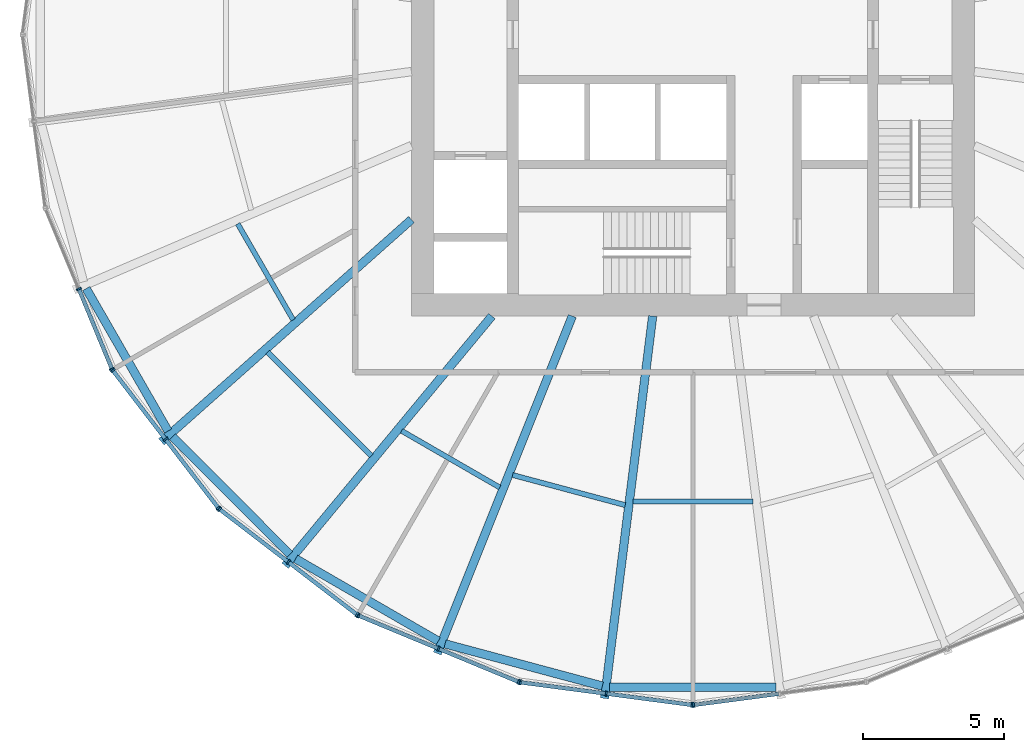
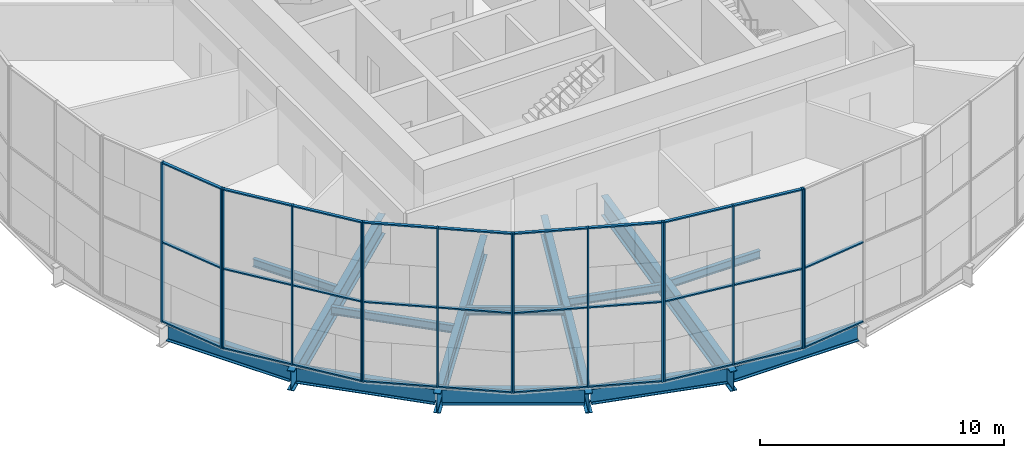
# One storey, part 1 of 18: 44 members, 14 beams, 6 elements without a shape of their own.
"""IFC4 building model written with IfcOpenShell, lengths in metres."""

import ifcopenshell
import ifcopenshell.guid

model = None  # the IFC model being written
_history = None  # IfcOwnerHistory: only IFC2X3 demands one
_inside = {}  # id of a spatial element -> (the spatial element, [elements in it])
_under = {}  # id of a project, library or spatial element -> (it, [spatial elements below it])
_declared = {}  # id of a project -> (the project, [libraries it declares])
_typed = {}  # id of a type object -> (the type object, [elements of that type])
_made_of = {}  # id of a material, layer set ... -> (it, [elements and type objects made of it])


def new_model(schema):
    """Start an empty IFC model of exactly this schema.

    Asked for "IFC4X3", IfcOpenShell would pick the latest addendum, in which some entities
    have other attributes; the version numbers below select the first issue.
    IFC2X3 requires an IfcOwnerHistory on every rooted entity: one is made here for all.
    """
    global model, _history
    if schema == "IFC4X3":
        model = ifcopenshell.file(schema_version=(4, 3, 0, 0))
    else:
        model = ifcopenshell.file(schema=schema)
    _inside.clear()
    _under.clear()
    _declared.clear()
    _typed.clear()
    _made_of.clear()
    _history = None
    if model.schema == "IFC2X3":
        org = make("IfcOrganization", Name="unknown")
        user = make(
            "IfcPersonAndOrganization",
            ThePerson=make("IfcPerson", FamilyName="unknown"),
            TheOrganization=org,
        )
        app = make(
            "IfcApplication",
            ApplicationDeveloper=org,
            Version="unknown",
            ApplicationFullName="unknown",
            ApplicationIdentifier="unknown",
        )
        _history = make(
            "IfcOwnerHistory",
            OwningUser=user,
            OwningApplication=app,
            ChangeAction="ADDED",
            CreationDate=0,
        )
    return model


def make(cls, **values):
    """One entity of the class cls with the attributes given. An attribute that is None is left unset."""
    return model.create_entity(
        cls, **{name: value for name, value in values.items() if value is not None}
    )


def rooted(cls, **values):
    """An entity with a GlobalId (a new one), such as an element, a storey or a relation."""
    return make(cls, GlobalId=ifcopenshell.guid.new(), OwnerHistory=_history, **values)


def si_unit(unit_type, name, prefix=None):
    """IfcSIUnit, for example si_unit("LENGTHUNIT", "METRE", prefix="MILLI")."""
    return make("IfcSIUnit", UnitType=unit_type, Prefix=prefix, Name=name)


def assignment(units):
    """IfcUnitAssignment: the units of a project."""
    return None if units is None else make("IfcUnitAssignment", Units=units)


def point(xyz):
    """IfcCartesianPoint."""
    return None if xyz is None else make("IfcCartesianPoint", Coordinates=xyz)


def direction(xyz):
    """IfcDirection."""
    return None if xyz is None else make("IfcDirection", DirectionRatios=xyz)


def frame(location, z_axis=None, x_axis=None):
    """IfcAxis2Placement3D, a coordinate frame: its origin and axes. An axis left out is left unset."""
    return make(
        "IfcAxis2Placement3D",
        Location=point(location),
        Axis=direction(z_axis),
        RefDirection=direction(x_axis),
    )


def frame_2d(location, x_axis=None):
    """IfcAxis2Placement2D, a coordinate frame in the plane: its origin and x axis."""
    return make(
        "IfcAxis2Placement2D", Location=point(location), RefDirection=direction(x_axis)
    )


def origin():
    """The frame at (0, 0, 0) with its axes left unset."""
    return frame((0.0, 0.0, 0.0))


def origin_2d():
    """The frame at (0, 0) in the plane with its x axis left unset."""
    return frame_2d((0.0, 0.0))


def place(relative_to, where):
    """IfcLocalPlacement: puts the frame where relative to a parent placement (None: the world)."""
    return make(
        "IfcLocalPlacement", PlacementRelTo=relative_to, RelativePlacement=where
    )


def context(
    kind, dimensions, precision=None, world=None, true_north=None, identifier=None
):
    """IfcGeometricRepresentationContext, for example the 3D "Model" context."""
    return make(
        "IfcGeometricRepresentationContext",
        ContextIdentifier=identifier,
        ContextType=kind,
        CoordinateSpaceDimension=dimensions,
        Precision=precision,
        WorldCoordinateSystem=world,
        TrueNorth=true_north,
    )


def subcontext(parent, identifier, kind, view, scale=None):
    """IfcGeometricRepresentationSubContext, for example "Body" below "Model"."""
    return make(
        "IfcGeometricRepresentationSubContext",
        ContextIdentifier=identifier,
        ContextType=kind,
        ParentContext=parent,
        TargetScale=scale,
        TargetView=view,
    )


def project(units=None, contexts=None):
    """IfcProject with its units and contexts."""
    return rooted(
        "IfcProject",
        Name="project",
        RepresentationContexts=contexts,
        UnitsInContext=assignment(units),
    )


def spatial(cls, under=None, at=None, **own):
    """A site, building, storey or space (cls), placed at a placement, below another one or the project."""
    s = rooted(cls, ObjectPlacement=at, **own)
    if under is not None:
        _under.setdefault(under.id(), (under, []))[1].append(s)
    return s


def profile(cls, at=None, kind="AREA", **sizes):
    """A parametric profile (cls). Its sizes go by their IFC names, for example OverallWidth=200.0."""
    return make(cls, ProfileType=kind, Position=at, **sizes)


def rectangle(**sizes):
    """IfcRectangleProfileDef."""
    return profile("IfcRectangleProfileDef", **sizes)


def i_section(**sizes):
    """IfcIShapeProfileDef."""
    return profile("IfcIShapeProfileDef", **sizes)


def extrude(swept, where, along, depth):
    """IfcExtrudedAreaSolid: the profile swept, set in the frame where, extruded along a direction by depth."""
    return make(
        "IfcExtrudedAreaSolid",
        SweptArea=swept,
        Position=where,
        ExtrudedDirection=direction(along),
        Depth=depth,
    )


def shape(context_of_items, identifier, shape_type, items):
    """IfcShapeRepresentation: the items that make up one representation, for example the "Body"."""
    return make(
        "IfcShapeRepresentation",
        ContextOfItems=context_of_items,
        RepresentationIdentifier=identifier,
        RepresentationType=shape_type,
        Items=items,
    )


def material(Name=None, Category=None):
    """IfcMaterial."""
    return make("IfcMaterial", Name=Name, Category=Category)


def material_profile(
    of_material, cross_section, Name=None, Category=None, Priority=None
):
    """IfcMaterialProfile: a cross section and its material."""
    return make(
        "IfcMaterialProfile",
        Name=Name,
        Material=of_material,
        Profile=cross_section,
        Priority=Priority,
        Category=Category,
    )


def profile_set(profiles, Name=None, composite=None):
    """IfcMaterialProfileSet."""
    return make(
        "IfcMaterialProfileSet",
        Name=Name,
        MaterialProfiles=profiles,
        CompositeProfile=composite,
    )


def made_of(thing, what):
    """Note that an element or type object is made of a material, layer set ...; save() writes the relation."""
    if what is not None:
        _made_of.setdefault(what.id(), (what, []))[1].append(thing)
    return thing


def type_object(cls, material=None, **own):
    """A type object (cls), such as IfcWallType, which elements share."""
    return made_of(rooted(cls, **own), material)


def element(
    cls,
    number,
    at=None,
    inside=None,
    cuts=None,
    type_object=None,
    material=None,
    context=None,
    identifier="Body",
    shape_type=None,
    held_by="IfcProductDefinitionShape",
    body=None,
    shapes=None,
    **own,
):
    """One element of the class cls, such as IfcWall. Its Tag is "e" and its number.

    at: its placement. inside: the storey or other place that contains it. cuts: it is an
    opening in that element (IfcRelVoidsElement). A single representation is given by context,
    identifier, shape_type and body (its items); several are given by shapes. held_by: the class
    of the entity that holds the representations. save() writes the other relations.
    """
    e = rooted(cls, Tag="e%d" % number, ObjectPlacement=at, **own)
    if body is not None:
        shapes = [shape(context, identifier, shape_type, body)]
    if shapes is not None:
        e.Representation = make(held_by, Representations=shapes)
    if inside is not None:
        _inside.setdefault(inside.id(), (inside, []))[1].append(e)
    if cuts is not None:
        rooted(
            "IfcRelVoidsElement", RelatingBuildingElement=cuts, RelatedOpeningElement=e
        )
    if type_object is not None:
        _typed.setdefault(type_object.id(), (type_object, []))[1].append(e)
    return made_of(e, material)


def aggregate(whole, parts):
    """IfcRelAggregates: a whole, such as a stair, and the parts it consists of."""
    return rooted("IfcRelAggregates", RelatingObject=whole, RelatedObjects=parts)


def save(model, path):
    """Write the relations noted so far, then the file.

    IfcRelAggregates (storeys below a building ...), IfcRelContainedInSpatialStructure (elements
    in a storey), IfcRelDefinesByType, IfcRelAssociatesMaterial and IfcRelDeclares: one each for
    every whole, place, type object, material and project.
    """
    for whole, parts in _under.values():
        aggregate(whole, parts)
    for where, things in _inside.values():
        rooted(
            "IfcRelContainedInSpatialStructure",
            RelatedElements=things,
            RelatingStructure=where,
        )
    for kind, things in _typed.values():
        rooted("IfcRelDefinesByType", RelatedObjects=things, RelatingType=kind)
    for what, things in _made_of.values():
        rooted("IfcRelAssociatesMaterial", RelatedObjects=things, RelatingMaterial=what)
    for by, libraries in _declared.values():
        rooted("IfcRelDeclares", RelatingContext=by, RelatedDefinitions=libraries)
    model.write(path)


model = new_model("IFC4")

# Units and contexts
model_context = context("Model", 3, precision=1e-05, world=origin(), true_north=direction((0.0, 1.0)))
body_context = subcontext(model_context, "Body", "Model", "MODEL_VIEW")
ifc_project = project(units=[si_unit("LENGTHUNIT", "METRE"), si_unit("AREAUNIT", "SQUARE_METRE"), si_unit("VOLUMEUNIT", "CUBIC_METRE"), si_unit("PLANEANGLEUNIT", "RADIAN"), si_unit("MASSUNIT", "GRAM", prefix="KILO")], contexts=[model_context])

# Site, building, storey
site_placement = place(None, origin())
site = spatial("IfcSite", under=ifc_project, at=site_placement, CompositionType="ELEMENT")
building_placement = place(site_placement, origin())
building = spatial("IfcBuilding", under=site, at=building_placement, Name="Golbaran Civic Tower", CompositionType="ELEMENT")
storey_placement = place(building_placement, frame((0.0, 0.0, 61.0)))
storey = spatial("IfcBuildingStorey", under=building, at=storey_placement, Name="L14", CompositionType="ELEMENT", Elevation=61.0)

# Beams
ifc_material_1 = material(Name="Steel S355", Category="steel")
ifc_material_profile_1 = material_profile(ifc_material_1, i_section(OverallWidth=0.300048828125, OverallDepth=0.800048828125, WebThickness=0.017578125, FlangeThickness=0.032958984375, FilletRadius=0.030029296875, at=origin_2d()), Name="HEB 800")
ifc_profile_set_1 = profile_set([ifc_material_profile_1], Name="Steel S355")
beam_type_1 = type_object("IfcBeamType", Name="EDGE BEAM HEB 800", PredefinedType="BEAM", material=ifc_profile_set_1)
beam_1_placement = place(storey_placement, frame((-21.554443359375, -9.022216796875, -0.60009765625), z_axis=(0.49836662023, -0.866966384493, 0.0), x_axis=(0.866966384493, 0.49836662023, 0.0)))
element("IfcBeam", 1, at=beam_1_placement, inside=storey, type_object=beam_type_1, Name="Edge beam 202.43 L14", PredefinedType="BEAM", context=body_context, shape_type="SweptSolid", body=[
    extrude(i_section(OverallWidth=0.300048828125, OverallDepth=0.800048828125, WebThickness=0.017578125, FlangeThickness=0.032958984375, FilletRadius=0.030029296875, at=origin_2d()), origin(), (0.0, 0.0, 1.0), 5.837890625),
])
beam_2_placement = place(storey_placement, frame((-18.48681640625, -14.290771484375, -0.60009765625), z_axis=(0.706526914156, -0.707686173083, 0.0), x_axis=(0.707686173083, 0.706526914156, 0.0)))
element("IfcBeam", 2, at=beam_2_placement, inside=storey, type_object=beam_type_1, Name="Edge beam 217.57 L14", PredefinedType="BEAM", context=body_context, shape_type="SweptSolid", body=[
    extrude(i_section(OverallWidth=0.300048828125, OverallDepth=0.800048828125, WebThickness=0.017578125, FlangeThickness=0.032958984375, FilletRadius=0.030029296875, at=origin_2d()), origin(), (0.0, 0.0, 1.0), 5.896728515625),
])
beam_3_placement = place(storey_placement, frame((-14.114013671875, -18.6220703125, -0.60009765625), z_axis=(0.866302963931, -0.499518943269, 0.0), x_axis=(0.499518943269, 0.866302963931, 0.0)))
element("IfcBeam", 3, at=beam_3_placement, inside=storey, type_object=beam_type_1, Name="Edge beam 232.43 L14", PredefinedType="BEAM", context=body_context, shape_type="SweptSolid", body=[
    extrude(i_section(OverallWidth=0.300048828125, OverallDepth=0.800048828125, WebThickness=0.017578125, FlangeThickness=0.032958984375, FilletRadius=0.030029296875, at=origin_2d()), origin(), (0.0, 0.0, 1.0), 5.850830078125),
])
beam_4_placement = place(storey_placement, frame((-8.80517578125, -21.644287109375, -0.60009765625), z_axis=(0.965827642387, -0.259185194795, 0.0), x_axis=(0.259185194795, 0.965827642387, 0.0)))
element("IfcBeam", 4, at=beam_4_placement, inside=storey, type_object=beam_type_1, Name="Edge beam 247.57 L14", PredefinedType="BEAM", context=body_context, shape_type="SweptSolid", body=[
    extrude(i_section(OverallWidth=0.300048828125, OverallDepth=0.800048828125, WebThickness=0.017578125, FlangeThickness=0.032958984375, FilletRadius=0.030029296875, at=origin_2d()), origin(), (0.0, 0.0, 1.0), 5.787353515625),
])
beam_5_placement = place(storey_placement, frame((-2.957763671875, -23.178466796875, -0.60009765625), z_axis=(1.0, 0.0, 0.0), x_axis=(0.0, 1.0, 0.0)))
element("IfcBeam", 5, at=beam_5_placement, inside=storey, type_object=beam_type_1, Name="Edge beam 262.43 L14", PredefinedType="BEAM", context=body_context, shape_type="SweptSolid", body=[
    extrude(i_section(OverallWidth=0.300048828125, OverallDepth=0.800048828125, WebThickness=0.017578125, FlangeThickness=0.032958984375, FilletRadius=0.030029296875, at=origin_2d()), origin(), (0.0, 0.0, 1.0), 5.91552734375),
])
ifc_material_profile_2 = material_profile(ifc_material_1, i_section(OverallWidth=0.179931640625, OverallDepth=0.39990234375, WebThickness=0.008544921875, FlangeThickness=0.013427734375, FilletRadius=0.02099609375, at=origin_2d()), Name="IPE 400")
ifc_profile_set_2 = profile_set([ifc_material_profile_2], Name="Steel S355")
beam_type_2 = type_object("IfcBeamType", Name="FLOOR INFILL BEAM IPE 400", PredefinedType="BEAM", material=ifc_profile_set_2)
beam_6_placement = place(storey_placement, frame((-16.1708984375, -6.721435546875, -0.39990234375), z_axis=(0.499985342893, -0.866033865904, 0.0), x_axis=(0.866033865904, 0.499985342893, 0.0)))
element("IfcBeam", 6, at=beam_6_placement, inside=storey, type_object=beam_type_2, Name="Infill beam 210.00 L14", PredefinedType="BEAM", context=body_context, shape_type="SweptSolid", body=[
    extrude(i_section(OverallWidth=0.179931640625, OverallDepth=0.39990234375, WebThickness=0.008544921875, FlangeThickness=0.013427734375, FilletRadius=0.02099609375, at=origin_2d()), origin(), (0.0, 0.0, 1.0), 3.93896484375),
])
beam_7_placement = place(storey_placement, frame((-15.105712890625, -11.28466796875, -0.39990234375), z_axis=(0.707106781187, -0.707106781187, 0.0), x_axis=(0.707106781187, 0.707106781187, 0.0)))
element("IfcBeam", 7, at=beam_7_placement, inside=storey, type_object=beam_type_2, Name="Infill beam 225.00 L14", PredefinedType="BEAM", context=body_context, shape_type="SweptSolid", body=[
    extrude(i_section(OverallWidth=0.179931640625, OverallDepth=0.39990234375, WebThickness=0.008544921875, FlangeThickness=0.013427734375, FilletRadius=0.02099609375, at=origin_2d()), origin(), (0.0, 0.0, 1.0), 5.20654296875),
])
beam_8_placement = place(storey_placement, frame((-10.349365234375, -14.075927734375, -0.39990234375), z_axis=(0.866033119956, -0.499986634961, 0.0), x_axis=(0.499986634961, 0.866033119956, 0.0)))
element("IfcBeam", 8, at=beam_8_placement, inside=storey, type_object=beam_type_2, Name="Infill beam 240.00 L14", PredefinedType="BEAM", context=body_context, shape_type="SweptSolid", body=[
    extrude(i_section(OverallWidth=0.179931640625, OverallDepth=0.39990234375, WebThickness=0.008544921875, FlangeThickness=0.013427734375, FilletRadius=0.02099609375, at=origin_2d()), origin(), (0.0, 0.0, 1.0), 4.0263671875),
])
beam_9_placement = place(storey_placement, frame((-6.404541015625, -15.645263671875, -0.39990234375), z_axis=(0.965921990313, -0.258833360735, 0.0), x_axis=(0.258833360735, 0.965921990313, 0.0)))
element("IfcBeam", 9, at=beam_9_placement, inside=storey, type_object=beam_type_2, Name="Infill beam 255.00 L14", PredefinedType="BEAM", context=body_context, shape_type="SweptSolid", body=[
    extrude(i_section(OverallWidth=0.179931640625, OverallDepth=0.39990234375, WebThickness=0.008544921875, FlangeThickness=0.013427734375, FilletRadius=0.02099609375, at=origin_2d()), origin(), (0.0, 0.0, 1.0), 4.139892578125),
])
beam_10_placement = place(storey_placement, frame((-2.127685546875, -16.589111328125, -0.39990234375), z_axis=(1.0, 0.0, 0.0), x_axis=(0.0, 1.0, 0.0)))
element("IfcBeam", 10, at=beam_10_placement, inside=storey, type_object=beam_type_2, Name="Infill beam 270.00 L14", PredefinedType="BEAM", context=body_context, shape_type="SweptSolid", body=[
    extrude(i_section(OverallWidth=0.179931640625, OverallDepth=0.39990234375, WebThickness=0.008544921875, FlangeThickness=0.013427734375, FilletRadius=0.02099609375, at=origin_2d()), origin(), (0.0, 0.0, 1.0), 4.25537109375),
])

# Curtain wall, members
ifc_material_2 = material(Name="Aluminium and glass", Category="aluminium")
curtain_wall_type = type_object("IfcCurtainWallType", Name="INNER SKIN CURTAIN WALL", PredefinedType="NOTDEFINED", material=ifc_material_2)
curtain_wall_1_placement = place(storey_placement, origin())
curtain_wall_1 = element("IfcCurtainWall", 11, at=curtain_wall_1_placement, inside=storey, type_object=curtain_wall_type, Name="Inner skin L14 facet 14 CW1", ObjectType="INNER SKIN", PredefinedType="USERDEFINED")
ifc_material_3 = material(Name="Aluminium", Category="aluminium")
ifc_material_profile_3 = material_profile(ifc_material_3, rectangle(XDim=0.179931640625, YDim=0.06494140625, at=origin_2d()), Name="INNER SKIN CURTAIN WALL MULLION")
ifc_profile_set_3 = profile_set([ifc_material_profile_3], Name="Aluminium")
member_type_1 = type_object("IfcMemberType", Name="INNER SKIN CURTAIN WALL MULLION", PredefinedType="MULLION", material=ifc_profile_set_3)
member_1_placement = place(storey_placement, frame((-21.815673828125, -9.036376953125, 0.0), z_axis=(0.0, 0.0, 1.0), x_axis=(0.923879532505, 0.382683432381, 0.0)))
member_1 = element("IfcMember", 12, at=member_1_placement, type_object=member_type_1, Name="CW1 mullion 2", PredefinedType="MULLION", context=body_context, shape_type="SweptSolid", body=[
    extrude(rectangle(XDim=0.179931640625, YDim=0.06494140625, at=origin_2d()), origin(), (0.0, 0.0, 1.0), 8.0),
])
member_2_placement = place(storey_placement, frame((-20.638671875, -11.87841796875, 0.0), z_axis=(0.0, 0.0, 1.0), x_axis=(0.923879532505, 0.382683432381, 0.0)))
member_2 = element("IfcMember", 13, at=member_2_placement, type_object=member_type_1, Name="CW1 mullion 3", PredefinedType="MULLION", context=body_context, shape_type="SweptSolid", body=[
    extrude(rectangle(XDim=0.179931640625, YDim=0.06494140625, at=origin_2d()), origin(), (0.0, 0.0, 1.0), 8.0),
])

curtain_wall_2_placement = place(storey_placement, origin())
curtain_wall_2 = element("IfcCurtainWall", 14, at=curtain_wall_2_placement, inside=storey, type_object=curtain_wall_type, Name="Inner skin L14 facet 15 CW1", ObjectType="INNER SKIN", PredefinedType="USERDEFINED")
member_3_placement = place(storey_placement, frame((-20.6064453125, -11.934326171875, 0.0), z_axis=(0.0, 0.0, 1.0), x_axis=(0.793353340355, 0.608761428926, 0.0)))
member_3 = element("IfcMember", 15, at=member_3_placement, type_object=member_type_1, Name="CW1 mullion 1", PredefinedType="MULLION", context=body_context, shape_type="SweptSolid", body=[
    extrude(rectangle(XDim=0.179931640625, YDim=0.06494140625, at=origin_2d()), origin(), (0.0, 0.0, 1.0), 8.0),
])
member_4_placement = place(storey_placement, frame((-18.733642578125, -14.374755859375, 0.0), z_axis=(0.0, 0.0, 1.0), x_axis=(0.793353340355, 0.608761428926, 0.0)))
member_4 = element("IfcMember", 16, at=member_4_placement, type_object=member_type_1, Name="CW1 mullion 2", PredefinedType="MULLION", context=body_context, shape_type="SweptSolid", body=[
    extrude(rectangle(XDim=0.179931640625, YDim=0.06494140625, at=origin_2d()), origin(), (0.0, 0.0, 1.0), 8.0),
])
member_5_placement = place(storey_placement, frame((-16.86083984375, -16.8154296875, 0.0), z_axis=(0.0, 0.0, 1.0), x_axis=(0.793353340355, 0.608761428926, 0.0)))
member_5 = element("IfcMember", 17, at=member_5_placement, type_object=member_type_1, Name="CW1 mullion 3", PredefinedType="MULLION", context=body_context, shape_type="SweptSolid", body=[
    extrude(rectangle(XDim=0.179931640625, YDim=0.06494140625, at=origin_2d()), origin(), (0.0, 0.0, 1.0), 8.0),
])

curtain_wall_3_placement = place(storey_placement, origin())
curtain_wall_3 = element("IfcCurtainWall", 18, at=curtain_wall_3_placement, inside=storey, type_object=curtain_wall_type, Name="Inner skin L14 facet 16 CW1", ObjectType="INNER SKIN", PredefinedType="USERDEFINED")
member_6_placement = place(storey_placement, frame((-16.8154296875, -16.86083984375, 0.0), z_axis=(0.0, 0.0, 1.0), x_axis=(0.608761428926, 0.793353340355, 0.0)))
member_6 = element("IfcMember", 19, at=member_6_placement, type_object=member_type_1, Name="CW1 mullion 1", PredefinedType="MULLION", context=body_context, shape_type="SweptSolid", body=[
    extrude(rectangle(XDim=0.179931640625, YDim=0.06494140625, at=origin_2d()), origin(), (0.0, 0.0, 1.0), 8.0),
])
member_7_placement = place(storey_placement, frame((-14.374755859375, -18.733642578125, 0.0), z_axis=(0.0, 0.0, 1.0), x_axis=(0.608761428926, 0.793353340355, 0.0)))
member_7 = element("IfcMember", 20, at=member_7_placement, type_object=member_type_1, Name="CW1 mullion 2", PredefinedType="MULLION", context=body_context, shape_type="SweptSolid", body=[
    extrude(rectangle(XDim=0.179931640625, YDim=0.06494140625, at=origin_2d()), origin(), (0.0, 0.0, 1.0), 8.0),
])
member_8_placement = place(storey_placement, frame((-11.934326171875, -20.6064453125, 0.0), z_axis=(0.0, 0.0, 1.0), x_axis=(0.608761428926, 0.793353340355, 0.0)))
member_8 = element("IfcMember", 21, at=member_8_placement, type_object=member_type_1, Name="CW1 mullion 3", PredefinedType="MULLION", context=body_context, shape_type="SweptSolid", body=[
    extrude(rectangle(XDim=0.179931640625, YDim=0.06494140625, at=origin_2d()), origin(), (0.0, 0.0, 1.0), 8.0),
])

curtain_wall_4_placement = place(storey_placement, origin())
curtain_wall_4 = element("IfcCurtainWall", 22, at=curtain_wall_4_placement, inside=storey, type_object=curtain_wall_type, Name="Inner skin L14 facet 17 CW1", ObjectType="INNER SKIN", PredefinedType="USERDEFINED")
member_9_placement = place(storey_placement, frame((-11.87841796875, -20.638671875, 0.0), z_axis=(0.0, 0.0, 1.0), x_axis=(0.382683432381, 0.923879532505, 0.0)))
member_9 = element("IfcMember", 23, at=member_9_placement, type_object=member_type_1, Name="CW1 mullion 1", PredefinedType="MULLION", context=body_context, shape_type="SweptSolid", body=[
    extrude(rectangle(XDim=0.179931640625, YDim=0.06494140625, at=origin_2d()), origin(), (0.0, 0.0, 1.0), 8.0),
])
member_10_placement = place(storey_placement, frame((-9.036376953125, -21.815673828125, 0.0), z_axis=(0.0, 0.0, 1.0), x_axis=(0.382683432381, 0.923879532505, 0.0)))
member_10 = element("IfcMember", 24, at=member_10_placement, type_object=member_type_1, Name="CW1 mullion 2", PredefinedType="MULLION", context=body_context, shape_type="SweptSolid", body=[
    extrude(rectangle(XDim=0.179931640625, YDim=0.06494140625, at=origin_2d()), origin(), (0.0, 0.0, 1.0), 8.0),
])
member_11_placement = place(storey_placement, frame((-6.1943359375, -22.992919921875, 0.0), z_axis=(0.0, 0.0, 1.0), x_axis=(0.382683432381, 0.923879532505, 0.0)))
member_11 = element("IfcMember", 25, at=member_11_placement, type_object=member_type_1, Name="CW1 mullion 3", PredefinedType="MULLION", context=body_context, shape_type="SweptSolid", body=[
    extrude(rectangle(XDim=0.179931640625, YDim=0.06494140625, at=origin_2d()), origin(), (0.0, 0.0, 1.0), 8.0),
])

curtain_wall_5_placement = place(storey_placement, origin())
curtain_wall_5 = element("IfcCurtainWall", 26, at=curtain_wall_5_placement, inside=storey, type_object=curtain_wall_type, Name="Inner skin L14 facet 18 CW1", ObjectType="INNER SKIN", PredefinedType="USERDEFINED")
member_12_placement = place(storey_placement, frame((-6.132080078125, -23.009765625, 0.0), z_axis=(0.0, 0.0, 1.0), x_axis=(0.130526192185, 0.991444861378, 0.0)))
member_12 = element("IfcMember", 27, at=member_12_placement, type_object=member_type_1, Name="CW1 mullion 1", PredefinedType="MULLION", context=body_context, shape_type="SweptSolid", body=[
    extrude(rectangle(XDim=0.179931640625, YDim=0.06494140625, at=origin_2d()), origin(), (0.0, 0.0, 1.0), 8.0),
])
member_13_placement = place(storey_placement, frame((-3.08203125, -23.4111328125, 0.0), z_axis=(0.0, 0.0, 1.0), x_axis=(0.130526192185, 0.991444861378, 0.0)))
member_13 = element("IfcMember", 28, at=member_13_placement, type_object=member_type_1, Name="CW1 mullion 2", PredefinedType="MULLION", context=body_context, shape_type="SweptSolid", body=[
    extrude(rectangle(XDim=0.179931640625, YDim=0.06494140625, at=origin_2d()), origin(), (0.0, 0.0, 1.0), 8.0),
])
member_14_placement = place(storey_placement, frame((-0.0322265625, -23.812744140625, 0.0), z_axis=(0.0, 0.0, 1.0), x_axis=(0.130526192185, 0.991444861378, 0.0)))
member_14 = element("IfcMember", 29, at=member_14_placement, type_object=member_type_1, Name="CW1 mullion 3", PredefinedType="MULLION", context=body_context, shape_type="SweptSolid", body=[
    extrude(rectangle(XDim=0.179931640625, YDim=0.06494140625, at=origin_2d()), origin(), (0.0, 0.0, 1.0), 8.0),
])

# Curtain wall, member
curtain_wall_6_placement = place(storey_placement, origin())
curtain_wall_6 = element("IfcCurtainWall", 30, at=curtain_wall_6_placement, inside=storey, type_object=curtain_wall_type, Name="Inner skin L14 facet 19 CW1", ObjectType="INNER SKIN", PredefinedType="USERDEFINED")
member_15_placement = place(storey_placement, frame((0.0322265625, -23.812744140625, 0.0), z_axis=(0.0, 0.0, 1.0), x_axis=(-0.130526192185, 0.991444861378, 0.0)))
member_15 = element("IfcMember", 31, at=member_15_placement, type_object=member_type_1, Name="CW1 mullion 1", PredefinedType="MULLION", context=body_context, shape_type="SweptSolid", body=[
    extrude(rectangle(XDim=0.179931640625, YDim=0.06494140625, at=origin_2d()), origin(), (0.0, 0.0, 1.0), 8.0),
])

# Member
ifc_material_profile_4 = material_profile(ifc_material_3, rectangle(XDim=0.139892578125, YDim=0.06494140625, at=origin_2d()), Name="INNER SKIN CURTAIN WALL TRANSOM")
ifc_profile_set_4 = profile_set([ifc_material_profile_4], Name="Aluminium")
member_type_2 = type_object("IfcMemberType", Name="INNER SKIN CURTAIN WALL TRANSOM", PredefinedType="USERDEFINED", material=ifc_profile_set_4)
member_16_placement = place(storey_placement, frame((-21.803466796875, -9.06640625, 0.032470703125), z_axis=(0.382685955317, -0.923878487466, 0.0), x_axis=(0.923878487466, 0.382685955317, 0.0)))
member_16 = element("IfcMember", 32, at=member_16_placement, type_object=member_type_2, Name="CW1 transom 2.1", ObjectType="TRANSOM", PredefinedType="USERDEFINED", context=body_context, shape_type="SweptSolid", body=[
    extrude(rectangle(XDim=0.139892578125, YDim=0.06494140625, at=origin_2d()), origin(), (0.0, 0.0, 1.0), 3.01123046875),
])

member_17_placement = place(storey_placement, frame((-21.803466796875, -9.06640625, 4.0), z_axis=(0.382685955317, -0.923878487466, 0.0), x_axis=(0.923878487466, 0.382685955317, 0.0)))
member_17 = element("IfcMember", 33, at=member_17_placement, type_object=member_type_2, Name="CW1 transom 2.2", ObjectType="TRANSOM", PredefinedType="USERDEFINED", context=body_context, shape_type="SweptSolid", body=[
    extrude(rectangle(XDim=0.139892578125, YDim=0.06494140625, at=origin_2d()), origin(), (0.0, 0.0, 1.0), 3.01123046875),
])

member_18_placement = place(storey_placement, frame((-21.803466796875, -9.06640625, 7.967529296875), z_axis=(0.382685955317, -0.923878487466, 0.0), x_axis=(0.923878487466, 0.382685955317, 0.0)))
member_18 = element("IfcMember", 34, at=member_18_placement, type_object=member_type_2, Name="CW1 transom 2.3", ObjectType="TRANSOM", PredefinedType="USERDEFINED", context=body_context, shape_type="SweptSolid", body=[
    extrude(rectangle(XDim=0.139892578125, YDim=0.06494140625, at=origin_2d()), origin(), (0.0, 0.0, 1.0), 3.01123046875),
])

aggregate(curtain_wall_1, [member_1, member_2, member_16, member_17, member_18])

member_19_placement = place(storey_placement, frame((-20.586669921875, -11.9599609375, 0.032470703125), z_axis=(0.608758270239, -0.793355764091, 0.0), x_axis=(0.793355764091, 0.608758270239, 0.0)))
member_19 = element("IfcMember", 35, at=member_19_placement, type_object=member_type_2, Name="CW1 transom 1.1", ObjectType="TRANSOM", PredefinedType="USERDEFINED", context=body_context, shape_type="SweptSolid", body=[
    extrude(rectangle(XDim=0.139892578125, YDim=0.06494140625, at=origin_2d()), origin(), (0.0, 0.0, 1.0), 3.011474609375),
])

member_20_placement = place(storey_placement, frame((-20.586669921875, -11.9599609375, 4.0), z_axis=(0.608758270239, -0.793355764091, 0.0), x_axis=(0.793355764091, 0.608758270239, 0.0)))
member_20 = element("IfcMember", 36, at=member_20_placement, type_object=member_type_2, Name="CW1 transom 1.2", ObjectType="TRANSOM", PredefinedType="USERDEFINED", context=body_context, shape_type="SweptSolid", body=[
    extrude(rectangle(XDim=0.139892578125, YDim=0.06494140625, at=origin_2d()), origin(), (0.0, 0.0, 1.0), 3.011474609375),
])

member_21_placement = place(storey_placement, frame((-20.586669921875, -11.9599609375, 7.967529296875), z_axis=(0.608758270239, -0.793355764091, 0.0), x_axis=(0.793355764091, 0.608758270239, 0.0)))
member_21 = element("IfcMember", 37, at=member_21_placement, type_object=member_type_2, Name="CW1 transom 1.3", ObjectType="TRANSOM", PredefinedType="USERDEFINED", context=body_context, shape_type="SweptSolid", body=[
    extrude(rectangle(XDim=0.139892578125, YDim=0.06494140625, at=origin_2d()), origin(), (0.0, 0.0, 1.0), 3.011474609375),
])

member_22_placement = place(storey_placement, frame((-18.7138671875, -14.400634765625, 0.032470703125), z_axis=(0.60879742597, -0.793325717554, 0.0), x_axis=(0.793325717554, 0.60879742597, 0.0)))
member_22 = element("IfcMember", 38, at=member_22_placement, type_object=member_type_2, Name="CW1 transom 2.1", ObjectType="TRANSOM", PredefinedType="USERDEFINED", context=body_context, shape_type="SweptSolid", body=[
    extrude(rectangle(XDim=0.139892578125, YDim=0.06494140625, at=origin_2d()), origin(), (0.0, 0.0, 1.0), 3.01123046875),
])

member_23_placement = place(storey_placement, frame((-18.7138671875, -14.400634765625, 4.0), z_axis=(0.60879742597, -0.793325717554, 0.0), x_axis=(0.793325717554, 0.60879742597, 0.0)))
member_23 = element("IfcMember", 39, at=member_23_placement, type_object=member_type_2, Name="CW1 transom 2.2", ObjectType="TRANSOM", PredefinedType="USERDEFINED", context=body_context, shape_type="SweptSolid", body=[
    extrude(rectangle(XDim=0.139892578125, YDim=0.06494140625, at=origin_2d()), origin(), (0.0, 0.0, 1.0), 3.01123046875),
])

member_24_placement = place(storey_placement, frame((-18.7138671875, -14.400634765625, 7.967529296875), z_axis=(0.60879742597, -0.793325717554, 0.0), x_axis=(0.793325717554, 0.60879742597, 0.0)))
member_24 = element("IfcMember", 40, at=member_24_placement, type_object=member_type_2, Name="CW1 transom 2.3", ObjectType="TRANSOM", PredefinedType="USERDEFINED", context=body_context, shape_type="SweptSolid", body=[
    extrude(rectangle(XDim=0.139892578125, YDim=0.06494140625, at=origin_2d()), origin(), (0.0, 0.0, 1.0), 3.01123046875),
])

aggregate(curtain_wall_2, [member_3, member_4, member_5, member_19, member_20, member_21, member_22, member_23, member_24])

member_25_placement = place(storey_placement, frame((-16.78955078125, -16.880615234375, 0.032470703125), z_axis=(0.793325717554, -0.60879742597, 0.0), x_axis=(0.60879742597, 0.793325717554, 0.0)))
member_25 = element("IfcMember", 41, at=member_25_placement, type_object=member_type_2, Name="CW1 transom 1.1", ObjectType="TRANSOM", PredefinedType="USERDEFINED", context=body_context, shape_type="SweptSolid", body=[
    extrude(rectangle(XDim=0.139892578125, YDim=0.06494140625, at=origin_2d()), origin(), (0.0, 0.0, 1.0), 3.01123046875),
])

member_26_placement = place(storey_placement, frame((-16.78955078125, -16.880615234375, 4.0), z_axis=(0.793325717554, -0.60879742597, 0.0), x_axis=(0.60879742597, 0.793325717554, 0.0)))
member_26 = element("IfcMember", 42, at=member_26_placement, type_object=member_type_2, Name="CW1 transom 1.2", ObjectType="TRANSOM", PredefinedType="USERDEFINED", context=body_context, shape_type="SweptSolid", body=[
    extrude(rectangle(XDim=0.139892578125, YDim=0.06494140625, at=origin_2d()), origin(), (0.0, 0.0, 1.0), 3.01123046875),
])

member_27_placement = place(storey_placement, frame((-16.78955078125, -16.880615234375, 7.967529296875), z_axis=(0.793325717554, -0.60879742597, 0.0), x_axis=(0.60879742597, 0.793325717554, 0.0)))
member_27 = element("IfcMember", 43, at=member_27_placement, type_object=member_type_2, Name="CW1 transom 1.3", ObjectType="TRANSOM", PredefinedType="USERDEFINED", context=body_context, shape_type="SweptSolid", body=[
    extrude(rectangle(XDim=0.139892578125, YDim=0.06494140625, at=origin_2d()), origin(), (0.0, 0.0, 1.0), 3.01123046875),
])

member_28_placement = place(storey_placement, frame((-14.34912109375, -18.75341796875, 0.032470703125), z_axis=(0.793355764091, -0.608758270239, 0.0), x_axis=(0.608758270239, 0.793355764091, 0.0)))
member_28 = element("IfcMember", 44, at=member_28_placement, type_object=member_type_2, Name="CW1 transom 2.1", ObjectType="TRANSOM", PredefinedType="USERDEFINED", context=body_context, shape_type="SweptSolid", body=[
    extrude(rectangle(XDim=0.139892578125, YDim=0.06494140625, at=origin_2d()), origin(), (0.0, 0.0, 1.0), 3.011474609375),
])

member_29_placement = place(storey_placement, frame((-14.34912109375, -18.75341796875, 4.0), z_axis=(0.793355764091, -0.608758270239, 0.0), x_axis=(0.608758270239, 0.793355764091, 0.0)))
member_29 = element("IfcMember", 45, at=member_29_placement, type_object=member_type_2, Name="CW1 transom 2.2", ObjectType="TRANSOM", PredefinedType="USERDEFINED", context=body_context, shape_type="SweptSolid", body=[
    extrude(rectangle(XDim=0.139892578125, YDim=0.06494140625, at=origin_2d()), origin(), (0.0, 0.0, 1.0), 3.011474609375),
])

member_30_placement = place(storey_placement, frame((-14.34912109375, -18.75341796875, 7.967529296875), z_axis=(0.793355764091, -0.608758270239, 0.0), x_axis=(0.608758270239, 0.793355764091, 0.0)))
member_30 = element("IfcMember", 46, at=member_30_placement, type_object=member_type_2, Name="CW1 transom 2.3", ObjectType="TRANSOM", PredefinedType="USERDEFINED", context=body_context, shape_type="SweptSolid", body=[
    extrude(rectangle(XDim=0.139892578125, YDim=0.06494140625, at=origin_2d()), origin(), (0.0, 0.0, 1.0), 3.011474609375),
])

aggregate(curtain_wall_3, [member_6, member_7, member_8, member_25, member_26, member_27, member_28, member_29, member_30])

member_31_placement = place(storey_placement, frame((-11.848388671875, -20.651123046875, 0.032470703125), z_axis=(0.923878487466, -0.382685955317, 0.0), x_axis=(0.382685955317, 0.923878487466, 0.0)))
member_31 = element("IfcMember", 47, at=member_31_placement, type_object=member_type_2, Name="CW1 transom 1.1", ObjectType="TRANSOM", PredefinedType="USERDEFINED", context=body_context, shape_type="SweptSolid", body=[
    extrude(rectangle(XDim=0.139892578125, YDim=0.06494140625, at=origin_2d()), origin(), (0.0, 0.0, 1.0), 3.01123046875),
])

member_32_placement = place(storey_placement, frame((-11.848388671875, -20.651123046875, 4.0), z_axis=(0.923878487466, -0.382685955317, 0.0), x_axis=(0.382685955317, 0.923878487466, 0.0)))
member_32 = element("IfcMember", 48, at=member_32_placement, type_object=member_type_2, Name="CW1 transom 1.2", ObjectType="TRANSOM", PredefinedType="USERDEFINED", context=body_context, shape_type="SweptSolid", body=[
    extrude(rectangle(XDim=0.139892578125, YDim=0.06494140625, at=origin_2d()), origin(), (0.0, 0.0, 1.0), 3.01123046875),
])

member_33_placement = place(storey_placement, frame((-11.848388671875, -20.651123046875, 7.967529296875), z_axis=(0.923878487466, -0.382685955317, 0.0), x_axis=(0.382685955317, 0.923878487466, 0.0)))
member_33 = element("IfcMember", 49, at=member_33_placement, type_object=member_type_2, Name="CW1 transom 1.3", ObjectType="TRANSOM", PredefinedType="USERDEFINED", context=body_context, shape_type="SweptSolid", body=[
    extrude(rectangle(XDim=0.139892578125, YDim=0.06494140625, at=origin_2d()), origin(), (0.0, 0.0, 1.0), 3.01123046875),
])

member_34_placement = place(storey_placement, frame((-9.00634765625, -21.828125, 0.032470703125), z_axis=(0.923878487466, -0.382685955317, 0.0), x_axis=(0.382685955317, 0.923878487466, 0.0)))
member_34 = element("IfcMember", 50, at=member_34_placement, type_object=member_type_2, Name="CW1 transom 2.1", ObjectType="TRANSOM", PredefinedType="USERDEFINED", context=body_context, shape_type="SweptSolid", body=[
    extrude(rectangle(XDim=0.139892578125, YDim=0.06494140625, at=origin_2d()), origin(), (0.0, 0.0, 1.0), 3.01123046875),
])

member_35_placement = place(storey_placement, frame((-9.00634765625, -21.828125, 4.0), z_axis=(0.923878487466, -0.382685955317, 0.0), x_axis=(0.382685955317, 0.923878487466, 0.0)))
member_35 = element("IfcMember", 51, at=member_35_placement, type_object=member_type_2, Name="CW1 transom 2.2", ObjectType="TRANSOM", PredefinedType="USERDEFINED", context=body_context, shape_type="SweptSolid", body=[
    extrude(rectangle(XDim=0.139892578125, YDim=0.06494140625, at=origin_2d()), origin(), (0.0, 0.0, 1.0), 3.01123046875),
])

member_36_placement = place(storey_placement, frame((-9.00634765625, -21.828125, 7.967529296875), z_axis=(0.923878487466, -0.382685955317, 0.0), x_axis=(0.382685955317, 0.923878487466, 0.0)))
member_36 = element("IfcMember", 52, at=member_36_placement, type_object=member_type_2, Name="CW1 transom 2.3", ObjectType="TRANSOM", PredefinedType="USERDEFINED", context=body_context, shape_type="SweptSolid", body=[
    extrude(rectangle(XDim=0.139892578125, YDim=0.06494140625, at=origin_2d()), origin(), (0.0, 0.0, 1.0), 3.01123046875),
])

aggregate(curtain_wall_4, [member_9, member_10, member_11, member_31, member_32, member_33, member_34, member_35, member_36])

member_37_placement = place(storey_placement, frame((-6.099853515625, -23.013916015625, 0.032470703125), z_axis=(0.991444634679, -0.130527914125, 0.0), x_axis=(0.130527914125, 0.991444634679, 0.0)))
member_37 = element("IfcMember", 53, at=member_37_placement, type_object=member_type_2, Name="CW1 transom 1.1", ObjectType="TRANSOM", PredefinedType="USERDEFINED", context=body_context, shape_type="SweptSolid", body=[
    extrude(rectangle(XDim=0.139892578125, YDim=0.06494140625, at=origin_2d()), origin(), (0.0, 0.0, 1.0), 3.011474609375),
])

member_38_placement = place(storey_placement, frame((-6.099853515625, -23.013916015625, 4.0), z_axis=(0.991444634679, -0.130527914125, 0.0), x_axis=(0.130527914125, 0.991444634679, 0.0)))
member_38 = element("IfcMember", 54, at=member_38_placement, type_object=member_type_2, Name="CW1 transom 1.2", ObjectType="TRANSOM", PredefinedType="USERDEFINED", context=body_context, shape_type="SweptSolid", body=[
    extrude(rectangle(XDim=0.139892578125, YDim=0.06494140625, at=origin_2d()), origin(), (0.0, 0.0, 1.0), 3.011474609375),
])

member_39_placement = place(storey_placement, frame((-6.099853515625, -23.013916015625, 7.967529296875), z_axis=(0.991444634679, -0.130527914125, 0.0), x_axis=(0.130527914125, 0.991444634679, 0.0)))
member_39 = element("IfcMember", 55, at=member_39_placement, type_object=member_type_2, Name="CW1 transom 1.3", ObjectType="TRANSOM", PredefinedType="USERDEFINED", context=body_context, shape_type="SweptSolid", body=[
    extrude(rectangle(XDim=0.139892578125, YDim=0.06494140625, at=origin_2d()), origin(), (0.0, 0.0, 1.0), 3.011474609375),
])

member_40_placement = place(storey_placement, frame((-3.0498046875, -23.41552734375, 0.032470703125), z_axis=(0.991443253224, -0.130538406746, 0.0), x_axis=(0.130538406746, 0.991443253224, 0.0)))
member_40 = element("IfcMember", 56, at=member_40_placement, type_object=member_type_2, Name="CW1 transom 2.1", ObjectType="TRANSOM", PredefinedType="USERDEFINED", context=body_context, shape_type="SweptSolid", body=[
    extrude(rectangle(XDim=0.139892578125, YDim=0.06494140625, at=origin_2d()), origin(), (0.0, 0.0, 1.0), 3.01123046875),
])

member_41_placement = place(storey_placement, frame((-3.0498046875, -23.41552734375, 4.0), z_axis=(0.991443253224, -0.130538406746, 0.0), x_axis=(0.130538406746, 0.991443253224, 0.0)))
member_41 = element("IfcMember", 57, at=member_41_placement, type_object=member_type_2, Name="CW1 transom 2.2", ObjectType="TRANSOM", PredefinedType="USERDEFINED", context=body_context, shape_type="SweptSolid", body=[
    extrude(rectangle(XDim=0.139892578125, YDim=0.06494140625, at=origin_2d()), origin(), (0.0, 0.0, 1.0), 3.01123046875),
])

member_42_placement = place(storey_placement, frame((-3.0498046875, -23.41552734375, 7.967529296875), z_axis=(0.991443253224, -0.130538406746, 0.0), x_axis=(0.130538406746, 0.991443253224, 0.0)))
member_42 = element("IfcMember", 58, at=member_42_placement, type_object=member_type_2, Name="CW1 transom 2.3", ObjectType="TRANSOM", PredefinedType="USERDEFINED", context=body_context, shape_type="SweptSolid", body=[
    extrude(rectangle(XDim=0.139892578125, YDim=0.06494140625, at=origin_2d()), origin(), (0.0, 0.0, 1.0), 3.01123046875),
])

aggregate(curtain_wall_5, [member_12, member_13, member_14, member_37, member_38, member_39, member_40, member_41, member_42])

member_43_placement = place(storey_placement, frame((0.064453125, -23.80859375, 0.032470703125), z_axis=(0.991443253224, 0.130538406746, 0.0), x_axis=(-0.130538406746, 0.991443253224, 0.0)))
member_43 = element("IfcMember", 59, at=member_43_placement, type_object=member_type_2, Name="CW1 transom 1.1", ObjectType="TRANSOM", PredefinedType="USERDEFINED", context=body_context, shape_type="SweptSolid", body=[
    extrude(rectangle(XDim=0.139892578125, YDim=0.06494140625, at=origin_2d()), origin(), (0.0, 0.0, 1.0), 3.01123046875),
])

member_44_placement = place(storey_placement, frame((0.064453125, -23.80859375, 4.0), z_axis=(0.991443253224, 0.130538406746, 0.0), x_axis=(-0.130538406746, 0.991443253224, 0.0)))
member_44 = element("IfcMember", 60, at=member_44_placement, type_object=member_type_2, Name="CW1 transom 1.2", ObjectType="TRANSOM", PredefinedType="USERDEFINED", context=body_context, shape_type="SweptSolid", body=[
    extrude(rectangle(XDim=0.139892578125, YDim=0.06494140625, at=origin_2d()), origin(), (0.0, 0.0, 1.0), 3.01123046875),
])

aggregate(curtain_wall_6, [member_15, member_43, member_44])

# Beams
ifc_material_profile_5 = material_profile(ifc_material_1, i_section(OverallWidth=0.300048828125, OverallDepth=1.0, WebThickness=0.01904296875, FlangeThickness=0.035888671875, FilletRadius=0.030029296875, at=origin_2d()), Name="HEB 1000")
ifc_profile_set_5 = profile_set([ifc_material_profile_5], Name="Steel S355")
beam_type_3 = type_object("IfcBeamType", Name="RADIAL FLOOR BEAM HEB 1000", PredefinedType="BEAM", material=ifc_profile_set_5)
beam_11_placement = place(storey_placement, frame((-10.0, -6.571533203125, -0.7099609375), z_axis=(-0.747356046035, -0.664423765721, 0.0), x_axis=(0.664423765721, -0.747356046035, 0.0)))
element("IfcBeam", 61, at=beam_11_placement, inside=storey, type_object=beam_type_3, Name="Radial beam 217.57 L14", PredefinedType="BEAM", context=body_context, shape_type="SweptSolid", body=[
    extrude(i_section(OverallWidth=0.300048828125, OverallDepth=1.0, WebThickness=0.01904296875, FlangeThickness=0.035888671875, FilletRadius=0.030029296875, at=origin_2d()), origin(), (0.0, 0.0, 1.0), 11.88427734375),
])
beam_12_placement = place(storey_placement, frame((-7.142822265625, -10.0, -0.7099609375), z_axis=(-0.637799822524, -0.770202172412, 0.0), x_axis=(0.770202172412, -0.637799822524, 0.0)))
element("IfcBeam", 62, at=beam_12_placement, inside=storey, type_object=beam_type_3, Name="Radial beam 232.43 L14", PredefinedType="BEAM", context=body_context, shape_type="SweptSolid", body=[
    extrude(i_section(OverallWidth=0.300048828125, OverallDepth=1.0, WebThickness=0.01904296875, FlangeThickness=0.035888671875, FilletRadius=0.030029296875, at=origin_2d()), origin(), (0.0, 0.0, 1.0), 11.515380859375),
])
beam_13_placement = place(storey_placement, frame((-4.28564453125, -10.0, -0.7099609375), z_axis=(-0.371511289323, -0.92842843661, 0.0), x_axis=(0.92842843661, -0.371511289323, 0.0)))
element("IfcBeam", 63, at=beam_13_placement, inside=storey, type_object=beam_type_3, Name="Radial beam 247.57 L14", PredefinedType="BEAM", context=body_context, shape_type="SweptSolid", body=[
    extrude(i_section(OverallWidth=0.300048828125, OverallDepth=1.0, WebThickness=0.01904296875, FlangeThickness=0.035888671875, FilletRadius=0.030029296875, at=origin_2d()), origin(), (0.0, 0.0, 1.0), 12.912353515625),
])
beam_14_placement = place(storey_placement, frame((-1.428466796875, -10.0, -0.7099609375), z_axis=(-0.124991624098, -0.992157796878, 0.0), x_axis=(0.992157796878, -0.124991624098, 0.0)))
element("IfcBeam", 64, at=beam_14_placement, inside=storey, type_object=beam_type_3, Name="Radial beam 262.43 L14", PredefinedType="BEAM", context=body_context, shape_type="SweptSolid", body=[
    extrude(i_section(OverallWidth=0.300048828125, OverallDepth=1.0, WebThickness=0.01904296875, FlangeThickness=0.035888671875, FilletRadius=0.030029296875, at=origin_2d()), origin(), (0.0, 0.0, 1.0), 13.6904296875),
])

save(model, "model.ifc")
